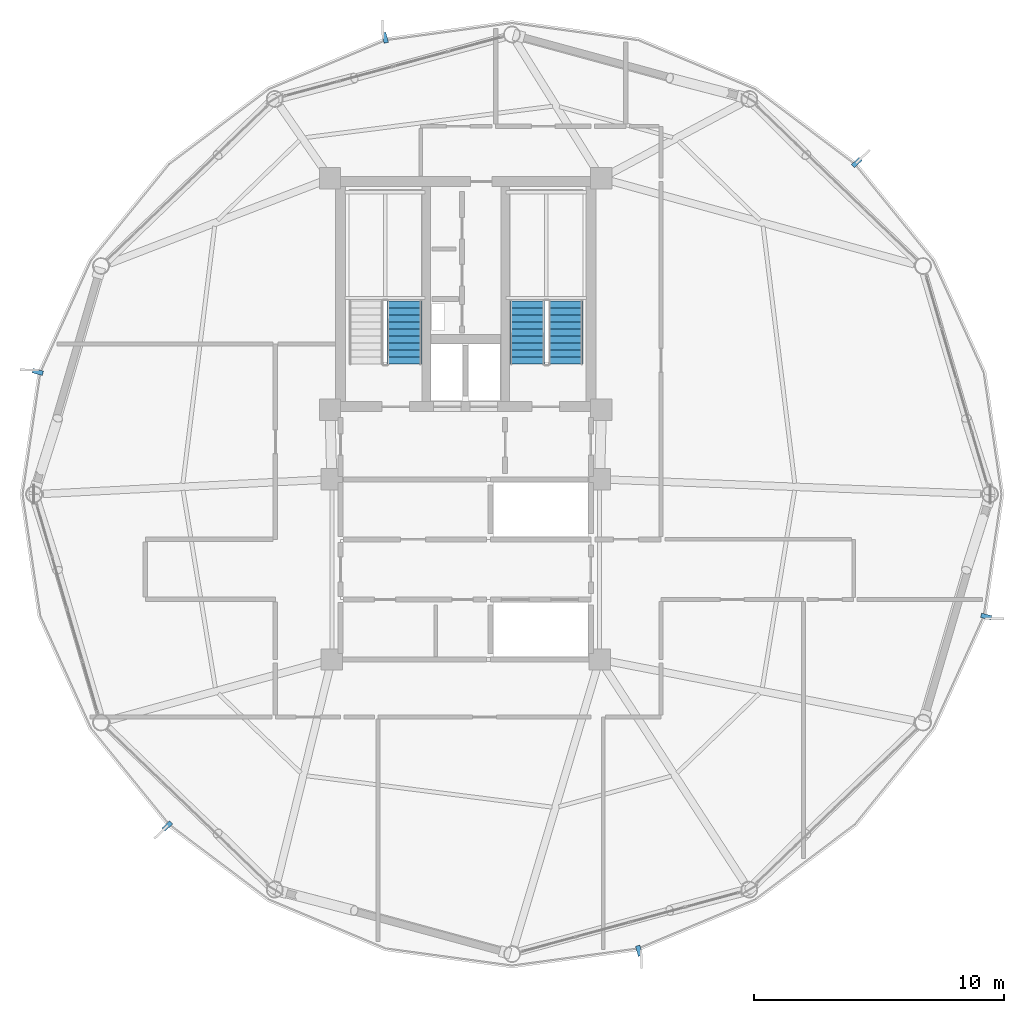
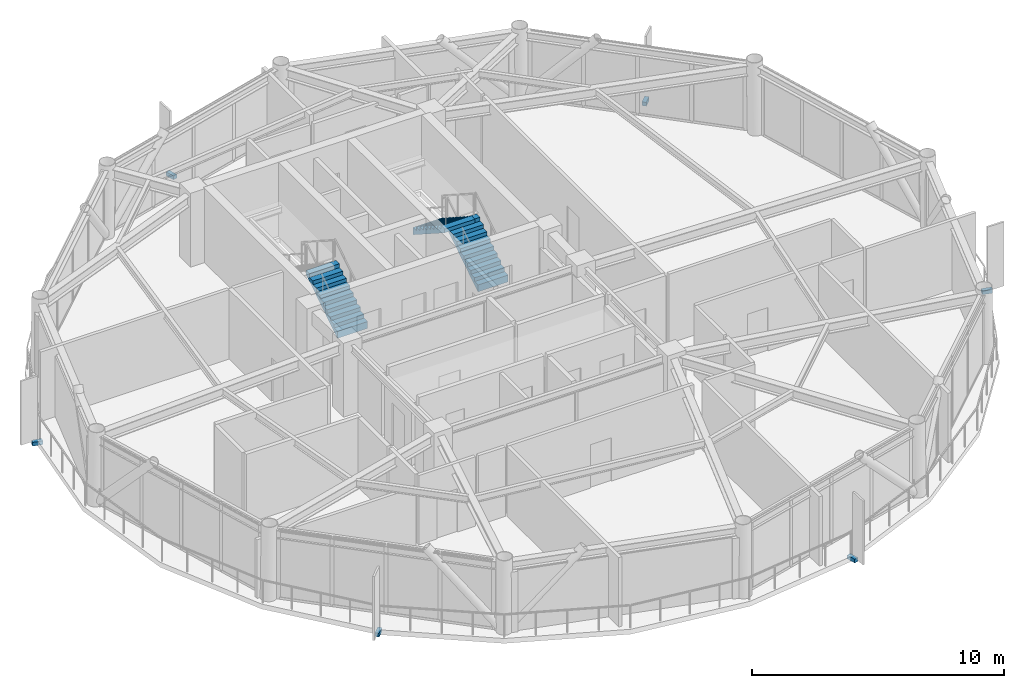
# One storey, part 25 of 28: 6 discrete accessories, 3 stair flights, 2 elements without a shape of their own.
"""IFC4 building model written with IfcOpenShell, lengths in metres."""

from ifc_helpers import new_model, si_unit, direction, frame, origin, origin_2d, place, context, subcontext, project, spatial, polyline, rectangle, outline, extrude, source, transform, mapped, material, type_object, type_shapes, element, aggregate, save


model = new_model("IFC4")

# Units and contexts
model_context = context("Model", 3, precision=1e-05, world=origin(), true_north=direction((0.0, 1.0)))
body_context = subcontext(model_context, "Body", "Model", "MODEL_VIEW")
ifc_project = project(units=[si_unit("LENGTHUNIT", "METRE"), si_unit("AREAUNIT", "SQUARE_METRE"), si_unit("VOLUMEUNIT", "CUBIC_METRE"), si_unit("PLANEANGLEUNIT", "RADIAN"), si_unit("MASSUNIT", "GRAM", prefix="KILO")], contexts=[model_context])

# Site, building, storey
site_placement = place(None, origin())
site = spatial("IfcSite", under=ifc_project, at=site_placement, CompositionType="ELEMENT")
building_placement = place(site_placement, origin())
building = spatial("IfcBuilding", under=site, at=building_placement, Name="Varnakorn Sky Granary", CompositionType="ELEMENT")
storey_placement = place(building_placement, frame((0.0, 0.0, 214.800048828125)))
storey = spatial("IfcBuildingStorey", under=building, at=storey_placement, Name="L54", CompositionType="ELEMENT", Elevation=214.800048828125)

# Stair, stair flight
ifc_material_1 = material(Name="Concrete C40/50", Category="concrete")
stair_type = type_object("IfcStairType", Name="ST-MAIN-ASSEMBLY", PredefinedType="HALF_TURN_STAIR", material=ifc_material_1)
stair_1_placement = place(storey_placement, origin())
stair_1 = element("IfcStair", 1, at=stair_1_placement, inside=storey, type_object=stair_type, Name="L54 Protected Exit Stair ST-1", PredefinedType="HALF_TURN_STAIR")
stair_flight_type = type_object("IfcStairFlightType", Name="ST-MAIN-FLIGHT", PredefinedType="STRAIGHT", material=ifc_material_1)
stair_flight_1_placement = place(storey_placement, frame((0.550048828125, 5.199951171875, 0.0), z_axis=(0.0, 0.0, 1.0), x_axis=(0.0, 1.0, 0.0)))
stair_flight_1 = element("IfcStairFlight", 2, at=stair_flight_1_placement, type_object=stair_flight_type, Name="ST-1 flight 1", NumberOfRisers=10, NumberOfTreads=9, PredefinedType="STRAIGHT", RiserHeight=0.18, TreadLength=0.28, context=body_context, shape_type="SweptSolid", body=[
    extrude(outline(polyline([(0.0, -0.14990234375), (0.0, 0.0), (0.0, 0.179931640625), (0.280029296875, 0.179931640625), (0.280029296875, 0.360107421875), (0.56005859375, 0.360107421875), (0.56005859375, 0.5400390625), (0.840087890625, 0.5400390625), (0.840087890625, 0.719970703125), (1.1201171875, 0.719970703125), (1.1201171875, 0.89990234375), (1.39990234375, 0.89990234375), (1.39990234375, 1.080078125), (1.679931640625, 1.080078125), (1.679931640625, 1.260009765625), (1.9599609375, 1.260009765625), (1.9599609375, 1.43994140625), (2.239990234375, 1.43994140625), (2.239990234375, 1.6201171875), (2.52001953125, 1.6201171875), (2.52001953125, 1.800048828125), (2.52001953125, 1.44189453125), (0.050048828125, -0.14990234375), (0.0, -0.14990234375)])), frame((0.0, 0.68994140625, 0.0), z_axis=(0.0, -1.0, 0.0), x_axis=(1.0, 0.0, 0.0)), (0.0, 0.0, 1.0), 1.3798828125),
])
aggregate(stair_1, [stair_flight_1])

# Stair, stair flights
stair_2_placement = place(storey_placement, origin())
stair_2 = element("IfcStair", 3, at=stair_2_placement, inside=storey, type_object=stair_type, Name="L54 Protected Exit Stair ST-2", PredefinedType="HALF_TURN_STAIR")
stair_flight_2_placement = place(storey_placement, frame((6.989990234375, 5.199951171875, 0.0), z_axis=(0.0, 0.0, 1.0), x_axis=(0.0, 1.0, 0.0)))
stair_flight_2 = element("IfcStairFlight", 4, at=stair_flight_2_placement, type_object=stair_flight_type, Name="ST-2 flight 1", NumberOfRisers=10, NumberOfTreads=9, PredefinedType="STRAIGHT", RiserHeight=0.18, TreadLength=0.28, context=body_context, shape_type="SweptSolid", body=[
    extrude(outline(polyline([(0.0, -0.14990234375), (0.0, 0.0), (0.0, 0.179931640625), (0.280029296875, 0.179931640625), (0.280029296875, 0.360107421875), (0.56005859375, 0.360107421875), (0.56005859375, 0.5400390625), (0.840087890625, 0.5400390625), (0.840087890625, 0.719970703125), (1.1201171875, 0.719970703125), (1.1201171875, 0.89990234375), (1.39990234375, 0.89990234375), (1.39990234375, 1.080078125), (1.679931640625, 1.080078125), (1.679931640625, 1.260009765625), (1.9599609375, 1.260009765625), (1.9599609375, 1.43994140625), (2.239990234375, 1.43994140625), (2.239990234375, 1.6201171875), (2.52001953125, 1.6201171875), (2.52001953125, 1.800048828125), (2.52001953125, 1.44189453125), (0.050048828125, -0.14990234375), (0.0, -0.14990234375)])), frame((0.0, 0.68994140625, 0.0), z_axis=(0.0, -1.0, 0.0), x_axis=(1.0, 0.0, 0.0)), (0.0, 0.0, 1.0), 1.3798828125),
])
stair_flight_3_placement = place(storey_placement, frame((5.4599609375, 7.719970703125, 1.800048828125), z_axis=(0.0, 0.0, 1.0), x_axis=(0.0, -1.0, 0.0)))
stair_flight_3 = element("IfcStairFlight", 5, at=stair_flight_3_placement, type_object=stair_flight_type, Name="ST-2 flight 2", NumberOfRisers=10, NumberOfTreads=9, PredefinedType="STRAIGHT", RiserHeight=0.18, TreadLength=0.28, context=body_context, shape_type="SweptSolid", body=[
    extrude(outline(polyline([(0.0, -0.14990234375), (0.0, 0.0), (0.0, 0.179931640625), (0.280029296875, 0.179931640625), (0.280029296875, 0.360107421875), (0.56005859375, 0.360107421875), (0.56005859375, 0.5400390625), (0.840087890625, 0.5400390625), (0.840087890625, 0.719970703125), (1.1201171875, 0.719970703125), (1.1201171875, 0.89990234375), (1.39990234375, 0.89990234375), (1.39990234375, 1.080078125), (1.679931640625, 1.080078125), (1.679931640625, 1.260009765625), (1.9599609375, 1.260009765625), (1.9599609375, 1.43994140625), (2.239990234375, 1.43994140625), (2.239990234375, 1.6201171875), (2.52001953125, 1.6201171875), (2.52001953125, 1.800048828125), (2.52001953125, 1.44189453125), (0.050048828125, -0.14990234375), (0.0, -0.14990234375)])), frame((0.0, 0.68994140625, 0.0), z_axis=(0.0, -1.0, 0.0), x_axis=(1.0, 0.0, 0.0)), (0.0, 0.0, 1.0), 1.3798828125),
])
aggregate(stair_2, [stair_flight_2, stair_flight_3])

# Discrete accessories
ifc_material_2 = material(Name="Steel S355JR", Category="steel")
discrete_accessory_type = type_object("IfcDiscreteAccessoryType", Name="AC-BRK-01", PredefinedType="BRACKET", material=ifc_material_2)
shared_shape = source(origin(), body_context, "Body", "SweptSolid", [
    extrude(rectangle(XDim=0.179931640625, YDim=0.419921875, at=origin_2d()), origin(), (0.0, 0.0, 1.0), 0.179931640625),
])
type_shapes(discrete_accessory_type, [shared_shape])
for number, where, z_axis, x_axis, name in (
    (6, (18.62255859375, 13.25439453125, -0.2001953125), (0.0, 0.0, 1.0), (-0.693425654467, 0.720528182466, 0.0), "Facade Solar-Screen Outrigger Bracket L54-02"),
    (7, (-0.2265625, 18.23828125, -0.2001953125), (0.0, 0.0, 1.0), (-0.963376349013, -0.268152960382, 0.0), "Facade Solar-Screen Outrigger Bracket L54-04"),
    (8, (-14.092041015625, 4.885986328125, -0.2001953125), (0.0, 0.0, 1.0), (-0.24976725951, -0.968305900053, 0.0), "Facade Solar-Screen Outrigger Bracket L54-06"),
    (9, (-8.922607421875, -13.25439453125, -0.2001953125), (0.0, 0.0, 1.0), (0.693425654467, -0.720528182466, 0.0), "Facade Solar-Screen Outrigger Bracket L54-08"),
    (10, (9.926513671875, -18.23828125, -0.2001953125), (0.0, 0.0, 1.0), (0.963376349013, 0.268152960382, 0.0), "Facade Solar-Screen Outrigger Bracket L54-10"),
    (11, (23.7919921875, -4.885986328125, -0.2001953125), (0.0, 0.0, 1.0), (0.24976725951, 0.968305900053, 0.0), "Facade Solar-Screen Outrigger Bracket L54-12"),
):
    element("IfcDiscreteAccessory", number, at=place(storey_placement, frame(where, z_axis=z_axis, x_axis=x_axis)), inside=storey, type_object=discrete_accessory_type, Name=name, PredefinedType="BRACKET", context=body_context, shape_type="MappedRepresentation", body=[
        mapped(shared_shape, transform((0.0, 0.0, 0.0), x_axis=(1.0, 0.0, 0.0), y_axis=(0.0, 1.0, 0.0), z_axis=(0.0, 0.0, 1.0), scale=1.0)),
    ])

save(model, "model.ifc")
